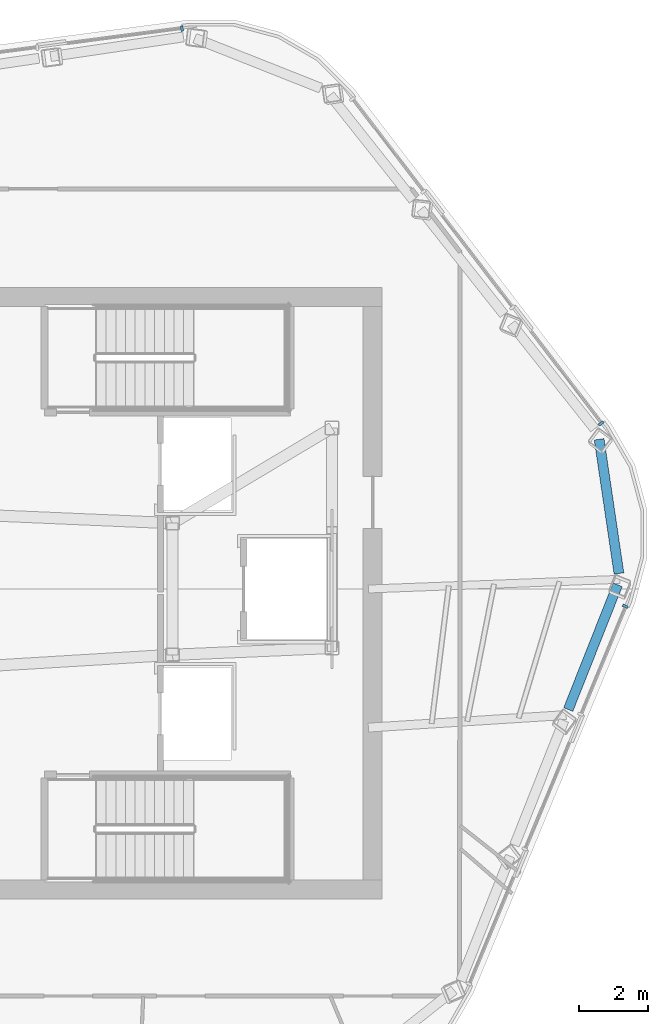
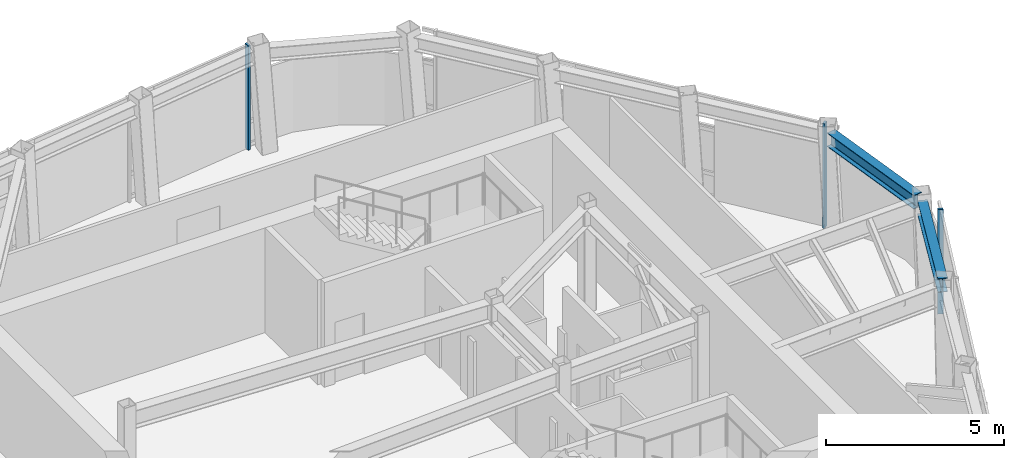
# One storey, part 4 of 9: 3 members, 2 beams, 3 elements without a shape of their own.
"""IFC4 building model written with IfcOpenShell, lengths in metres."""

from ifc_helpers import new_model, si_unit, direction, frame, origin, origin_2d, place, context, subcontext, project, spatial, rectangle, i_section, extrude, material, layer, layer_set, material_profile, profile_set, type_object, element, aggregate, save


model = new_model("IFC4")

# Units and contexts
model_context = context("Model", 3, precision=1e-05, world=origin(), true_north=direction((0.0, 1.0)))
body_context = subcontext(model_context, "Body", "Model", "MODEL_VIEW")
ifc_project = project(units=[si_unit("LENGTHUNIT", "METRE"), si_unit("AREAUNIT", "SQUARE_METRE"), si_unit("VOLUMEUNIT", "CUBIC_METRE"), si_unit("PLANEANGLEUNIT", "RADIAN"), si_unit("MASSUNIT", "GRAM", prefix="KILO")], contexts=[model_context])

# Site, building, storey
site_placement = place(None, origin())
site = spatial("IfcSite", under=ifc_project, at=site_placement, CompositionType="ELEMENT")
building_placement = place(site_placement, origin())
building = spatial("IfcBuilding", under=site, at=building_placement, Name="Valkerne Bourse Tower", CompositionType="ELEMENT")
storey_placement = place(building_placement, frame((0.0, 0.0, 315.39990234375)))
storey = spatial("IfcBuildingStorey", under=building, at=storey_placement, Name="L80", CompositionType="ELEMENT", Elevation=315.39990234375)

# Beams
ifc_material_1 = material(Name="Steel ASTM A992", Category="steel")
ifc_material_profile_1 = material_profile(ifc_material_1, i_section(OverallWidth=0.284423828125, OverallDepth=0.47509765625, WebThickness=0.014892578125, FlangeThickness=0.02392578125, FilletRadius=0.017822265625, at=origin_2d()), Name="W18X106")
ifc_profile_set_1 = profile_set([ifc_material_profile_1], Name="Steel ASTM A992")
beam_type = type_object("IfcBeamType", Name="BM-W18X106", PredefinedType="BEAM", material=ifc_profile_set_1)
beam_1_placement = place(storey_placement, frame((61.769287109375, 23.521240234375, 3.342529296875), z_axis=(0.368126815483, 0.92977558998, 0.0), x_axis=(-0.92977558998, 0.368126815483, 0.0)))
element("IfcBeam", 1, at=beam_1_placement, inside=storey, type_object=beam_type, Name="L80 Hexagonal Spandrel Ring Beam 18", PredefinedType="BEAM", context=body_context, shape_type="SweptSolid", body=[
    extrude(i_section(OverallWidth=0.284423828125, OverallDepth=0.47509765625, WebThickness=0.014892578125, FlangeThickness=0.02392578125, FilletRadius=0.017822265625, at=origin_2d()), origin(), (0.0, 0.0, 1.0), 3.871826171875),
])
beam_2_placement = place(storey_placement, frame((63.232421875, 27.447509765625, 3.342529296875), z_axis=(-0.146089921297, 0.989271315108, 0.0), x_axis=(-0.989271315108, -0.146089921297, 0.0)))
element("IfcBeam", 2, at=beam_2_placement, inside=storey, type_object=beam_type, Name="L80 Hexagonal Spandrel Ring Beam 19", PredefinedType="BEAM", context=body_context, shape_type="SweptSolid", body=[
    extrude(i_section(OverallWidth=0.284423828125, OverallDepth=0.47509765625, WebThickness=0.014892578125, FlangeThickness=0.02392578125, FilletRadius=0.017822265625, at=origin_2d()), origin(), (0.0, 0.0, 1.0), 3.91552734375),
])

# Curtain wall, member
ifc_material_2 = material(Name="Aluminium AA 6063-T6", Category="aluminium")
ifc_layer = layer(ifc_material_2, 0.25)
ifc_layer_set = layer_set([ifc_layer], Name="Aluminium AA 6063-T6")
curtain_wall_type = type_object("IfcCurtainWallType", Name="CW-06", PredefinedType="NOTDEFINED", material=ifc_layer_set)
curtain_wall_1_placement = place(storey_placement, origin())
curtain_wall_1 = element("IfcCurtainWall", 3, at=curtain_wall_1_placement, inside=storey, type_object=curtain_wall_type, Name="L80 Hexagonal Stick Curtain Wall Face 1", PredefinedType="NOTDEFINED")
ifc_material_profile_2 = material_profile(ifc_material_2, rectangle(XDim=0.074951171875, YDim=0.159912109375, at=origin_2d()), Name="CWM-75X160")
ifc_profile_set_2 = profile_set([ifc_material_profile_2], Name="Aluminium AA 6063-T6")
member_type = type_object("IfcMemberType", Name="CW-MUL-160X75", PredefinedType="MULLION", material=ifc_profile_set_2)
member_1_placement = place(storey_placement, frame((50.619384765625, 43.17578125, 0.0), z_axis=(0.0, 0.0, 1.0), x_axis=(-0.991444272388, -0.130530665937, 0.0)))
member_1 = element("IfcMember", 4, at=member_1_placement, type_object=member_type, Name="CW-L80-F1 Jamb Mullion 00A", PredefinedType="MULLION", context=body_context, shape_type="SweptSolid", body=[
    extrude(rectangle(XDim=0.074951171875, YDim=0.159912109375, at=origin_2d()), origin(), (0.0, 0.0, 1.0), 3.580078125),
])
aggregate(curtain_wall_1, [member_1])

curtain_wall_2_placement = place(storey_placement, origin())
curtain_wall_2 = element("IfcCurtainWall", 5, at=curtain_wall_2_placement, inside=storey, type_object=curtain_wall_type, Name="L80 Hexagonal Stick Curtain Wall Face 5", PredefinedType="NOTDEFINED")
member_2_placement = place(storey_placement, frame((63.4130859375, 26.502685546875, 0.0), z_axis=(0.0, 0.0, 1.0), x_axis=(0.382689378694, 0.923877069439, 0.0)))
member_2 = element("IfcMember", 6, at=member_2_placement, type_object=member_type, Name="CW-L80-F5 Jamb Mullion 02B", PredefinedType="MULLION", context=body_context, shape_type="SweptSolid", body=[
    extrude(rectangle(XDim=0.074951171875, YDim=0.159912109375, at=origin_2d()), origin(), (0.0, 0.0, 1.0), 3.580078125),
])
aggregate(curtain_wall_2, [member_2])

curtain_wall_3_placement = place(storey_placement, origin())
curtain_wall_3 = element("IfcCurtainWall", 7, at=curtain_wall_3_placement, inside=storey, type_object=curtain_wall_type, Name="L80 Hexagonal Stick Curtain Wall Face 6", PredefinedType="NOTDEFINED")
member_3_placement = place(storey_placement, frame((62.71826171875, 31.7802734375, 0.0), z_axis=(0.0, 0.0, 1.0), x_axis=(-0.608761449474, 0.793353324588, 0.0)))
member_3 = element("IfcMember", 8, at=member_3_placement, type_object=member_type, Name="CW-L80-F6 Jamb Mullion 00A", PredefinedType="MULLION", context=body_context, shape_type="SweptSolid", body=[
    extrude(rectangle(XDim=0.074951171875, YDim=0.159912109375, at=origin_2d()), origin(), (0.0, 0.0, 1.0), 3.580078125),
])
aggregate(curtain_wall_3, [member_3])

save(model, "model.ifc")
